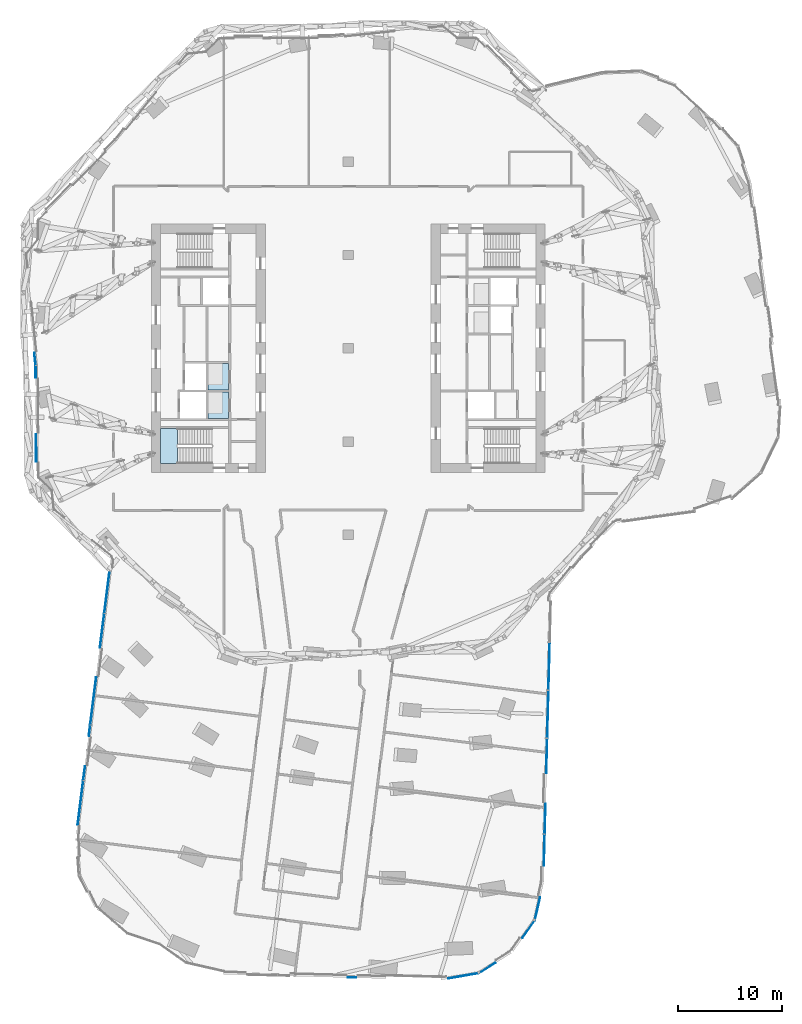
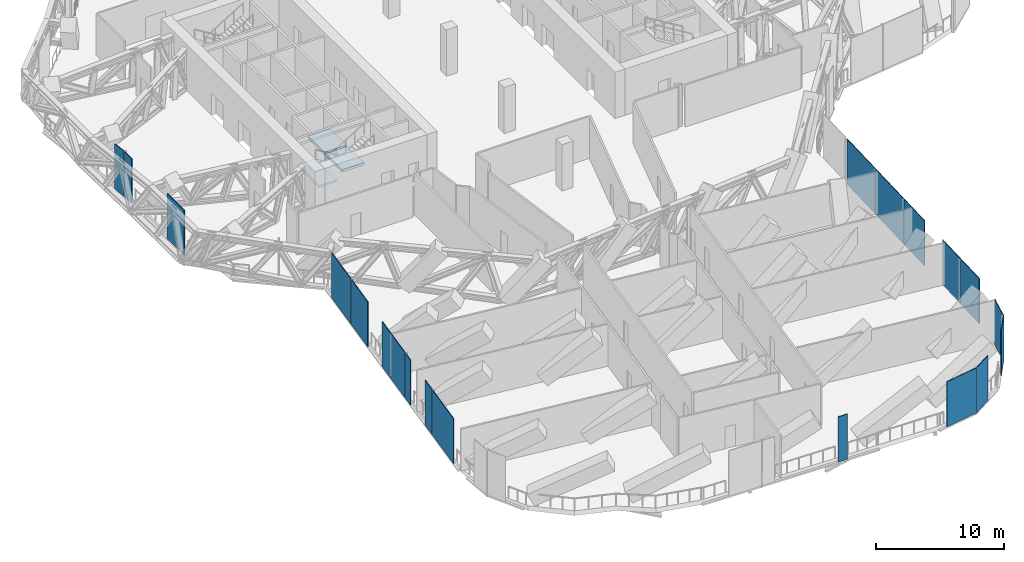
# One storey, part 15 of 27: 19 plates, 3 slabs, 10 elements without a shape of their own.
"""IFC4 building model written with IfcOpenShell, lengths in metres."""

from ifc_helpers import new_model, si_unit, direction, frame, origin, origin_2d, place, context, subcontext, project, spatial, polyline, rectangle, outline, extrude, material, layer, layer_set, type_object, element, aggregate, save


model = new_model("IFC4")

# Units and contexts
model_context = context("Model", 3, precision=1e-05, world=origin(), true_north=direction((0.0, 1.0)))
body_context = subcontext(model_context, "Body", "Model", "MODEL_VIEW")
ifc_project = project(units=[si_unit("LENGTHUNIT", "METRE"), si_unit("AREAUNIT", "SQUARE_METRE"), si_unit("VOLUMEUNIT", "CUBIC_METRE"), si_unit("PLANEANGLEUNIT", "RADIAN"), si_unit("MASSUNIT", "GRAM", prefix="KILO")], contexts=[model_context])

# Site, building, storey
site_placement = place(None, origin())
site = spatial("IfcSite", under=ifc_project, at=site_placement, CompositionType="ELEMENT")
building_placement = place(site_placement, origin())
building = spatial("IfcBuilding", under=site, at=building_placement, Name="Orlundy Tower", CompositionType="ELEMENT")
storey_placement = place(building_placement, frame((0.0, 0.0, 206.10009765625)))
storey = spatial("IfcBuildingStorey", under=building, at=storey_placement, Name="L54", CompositionType="ELEMENT", Elevation=206.10009765625)

# Curtain wall, plates
ifc_material_1 = material(Name="Aluminium bronze anodised", Category="aluminium")
curtain_wall_type = type_object("IfcCurtainWallType", Name="CW4 wall", PredefinedType="NOTDEFINED", material=ifc_material_1)
curtain_wall_1_placement = place(storey_placement, origin())
curtain_wall_1 = element("IfcCurtainWall", 1, at=curtain_wall_1_placement, inside=storey, type_object=curtain_wall_type, Name="CW4 run 03", PredefinedType="NOTDEFINED")
ifc_material_2 = material(Name="Louvre aluminium bronze anodised", Category="aluminium")
ifc_layer_1 = layer(ifc_material_2, 0.06005859375)
ifc_layer_set_1 = layer_set([ifc_layer_1], Name="CW4 louvre panel 60")
plate_type = type_object("IfcPlateType", Name="CW4 louvre panel 60", PredefinedType="CURTAIN_PANEL", material=ifc_layer_set_1)
plate_1_placement = place(storey_placement, frame((-30.114501953125, -9.61279296875, -0.30029296875), z_axis=(0.0, 0.0, 1.0), x_axis=(-0.005851060933, 0.999982882396, 0.0)))
plate_1 = element("IfcPlate", 2, at=plate_1_placement, type_object=plate_type, Name="CW4 louvre", PredefinedType="CURTAIN_PANEL", context=body_context, shape_type="SweptSolid", body=[
    extrude(rectangle(XDim=2.64453125, YDim=0.06005859375, at=origin_2d()), origin(), (0.0, 0.0, 1.0), 4.300048828125),
])
plate_2_placement = place(storey_placement, frame((-30.157470703125, -2.265869140625, -0.30029296875), z_axis=(0.0, 0.0, 1.0), x_axis=(-0.005851060933, 0.999982882396, 0.0)))
plate_2 = element("IfcPlate", 3, at=plate_2_placement, type_object=plate_type, Name="CW4 louvre", PredefinedType="CURTAIN_PANEL", context=body_context, shape_type="SweptSolid", body=[
    extrude(rectangle(XDim=1.126708984375, YDim=0.06005859375, at=origin_2d()), origin(), (0.0, 0.0, 1.0), 4.300048828125),
])
aggregate(curtain_wall_1, [plate_1, plate_2])

# Curtain wall, plate
curtain_wall_2_placement = place(storey_placement, origin())
curtain_wall_2 = element("IfcCurtainWall", 4, at=curtain_wall_2_placement, inside=storey, type_object=curtain_wall_type, Name="CW4 run 04", PredefinedType="NOTDEFINED")
plate_3_placement = place(storey_placement, frame((-30.227783203125, -1.037353515625, -0.30029296875), z_axis=(0.0, 0.0, 1.0), x_axis=(-0.104523077247, 0.994522461447, 0.0)))
plate_3 = element("IfcPlate", 5, at=plate_3_placement, type_object=plate_type, Name="CW4 louvre", PredefinedType="CURTAIN_PANEL", context=body_context, shape_type="SweptSolid", body=[
    extrude(rectangle(XDim=1.217041015625, YDim=0.06005859375, at=origin_2d()), origin(), (0.0, 0.0, 1.0), 4.300048828125),
])
aggregate(curtain_wall_2, [plate_3])

# Curtain wall, plates
curtain_wall_3_placement = place(storey_placement, origin())
curtain_wall_3 = element("IfcCurtainWall", 6, at=curtain_wall_3_placement, inside=storey, type_object=curtain_wall_type, Name="CW4 run 032", PredefinedType="NOTDEFINED")
plate_4_placement = place(storey_placement, frame((19.373291015625, -30.67919921875, -0.30029296875), z_axis=(0.0, 0.0, 1.0), x_axis=(-0.026165655813, -0.999657620616, 0.0)))
plate_4 = element("IfcPlate", 7, at=plate_4_placement, type_object=plate_type, Name="CW4 louvre", PredefinedType="CURTAIN_PANEL", context=body_context, shape_type="SweptSolid", body=[
    extrude(rectangle(XDim=4.57080078125, YDim=0.06005859375, at=origin_2d()), origin(), (0.0, 0.0, 1.0), 4.300048828125),
])
plate_5_placement = place(storey_placement, frame((19.251953125, -35.308349609375, -0.30029296875), z_axis=(0.0, 0.0, 1.0), x_axis=(-0.026165655813, -0.999657620616, 0.0)))
plate_5 = element("IfcPlate", 8, at=plate_5_placement, type_object=plate_type, Name="CW4 louvre", PredefinedType="CURTAIN_PANEL", context=body_context, shape_type="SweptSolid", body=[
    extrude(rectangle(XDim=4.57080078125, YDim=0.06005859375, at=origin_2d()), origin(), (0.0, 0.0, 1.0), 4.300048828125),
])
plate_6_placement = place(storey_placement, frame((19.14697265625, -39.320556640625, -0.30029296875), z_axis=(0.0, 0.0, 1.0), x_axis=(-0.026165655813, -0.999657620616, 0.0)))
plate_6 = element("IfcPlate", 9, at=plate_6_placement, type_object=plate_type, Name="CW4 louvre", PredefinedType="CURTAIN_PANEL", context=body_context, shape_type="SweptSolid", body=[
    extrude(rectangle(XDim=3.336669921875, YDim=0.06005859375, at=origin_2d()), origin(), (0.0, 0.0, 1.0), 4.300048828125),
])
plate_7_placement = place(storey_placement, frame((18.988037109375, -45.39404296875, -0.30029296875), z_axis=(0.0, 0.0, 1.0), x_axis=(-0.026165655813, -0.999657620616, 0.0)))
plate_7 = element("IfcPlate", 10, at=plate_7_placement, type_object=plate_type, Name="CW4 louvre", PredefinedType="CURTAIN_PANEL", context=body_context, shape_type="SweptSolid", body=[
    extrude(rectangle(XDim=2.91552734375, YDim=0.06005859375, at=origin_2d()), origin(), (0.0, 0.0, 1.0), 4.300048828125),
])
plate_8_placement = place(storey_placement, frame((18.90869140625, -48.421630859375, -0.30029296875), z_axis=(0.0, 0.0, 1.0), x_axis=(-0.026165655813, -0.999657620616, 0.0)))
plate_8 = element("IfcPlate", 11, at=plate_8_placement, type_object=plate_type, Name="CW4 louvre", PredefinedType="CURTAIN_PANEL", context=body_context, shape_type="SweptSolid", body=[
    extrude(rectangle(XDim=3.021728515625, YDim=0.06005859375, at=origin_2d()), origin(), (0.0, 0.0, 1.0), 4.300048828125),
])
aggregate(curtain_wall_3, [plate_4, plate_5, plate_6, plate_7, plate_8])

# Curtain wall, plate
curtain_wall_4_placement = place(storey_placement, origin())
curtain_wall_4 = element("IfcCurtainWall", 12, at=curtain_wall_4_placement, inside=storey, type_object=curtain_wall_type, Name="CW4 run 033", PredefinedType="NOTDEFINED")
plate_9_placement = place(storey_placement, frame((18.2509765625, -54.075439453125, -0.30029296875), z_axis=(0.0, 0.0, 1.0), x_axis=(-0.220699748267, -0.975341797072, 0.0)))
plate_9 = element("IfcPlate", 13, at=plate_9_placement, type_object=plate_type, Name="CW4 louvre", PredefinedType="CURTAIN_PANEL", context=body_context, shape_type="SweptSolid", body=[
    extrude(rectangle(XDim=2.288330078125, YDim=0.06005859375, at=origin_2d()), origin(), (0.0, 0.0, 1.0), 4.300048828125),
])
aggregate(curtain_wall_4, [plate_9])

curtain_wall_5_placement = place(storey_placement, origin())
curtain_wall_5 = element("IfcCurtainWall", 14, at=curtain_wall_5_placement, inside=storey, type_object=curtain_wall_type, Name="CW4 run 034", PredefinedType="NOTDEFINED")
plate_10_placement = place(storey_placement, frame((17.394287109375, -56.04638671875, -0.30029296875), z_axis=(0.0, 0.0, 1.0), x_axis=(-0.577096231381, -0.816676153518, 0.0)))
plate_10 = element("IfcPlate", 15, at=plate_10_placement, type_object=plate_type, Name="CW4 louvre", PredefinedType="CURTAIN_PANEL", context=body_context, shape_type="SweptSolid", body=[
    extrude(rectangle(XDim=2.093505859375, YDim=0.06005859375, at=origin_2d()), origin(), (0.0, 0.0, 1.0), 4.300048828125),
])
aggregate(curtain_wall_5, [plate_10])

curtain_wall_6_placement = place(storey_placement, origin())
curtain_wall_6 = element("IfcCurtainWall", 16, at=curtain_wall_6_placement, inside=storey, type_object=curtain_wall_type, Name="CW4 run 035", PredefinedType="NOTDEFINED")
plate_11_placement = place(storey_placement, frame((13.42138671875, -59.787353515625, -0.30029296875), z_axis=(0.0, 0.0, 1.0), x_axis=(-0.845732410351, -0.533607243282, 0.0)))
plate_11 = element("IfcPlate", 17, at=plate_11_placement, type_object=plate_type, Name="CW4 louvre", PredefinedType="CURTAIN_PANEL", context=body_context, shape_type="SweptSolid", body=[
    extrude(rectangle(XDim=1.875732421875, YDim=0.06005859375, at=origin_2d()), origin(), (0.0, 0.0, 1.0), 4.300048828125),
])
aggregate(curtain_wall_6, [plate_11])

curtain_wall_7_placement = place(storey_placement, origin())
curtain_wall_7 = element("IfcCurtainWall", 18, at=curtain_wall_7_placement, inside=storey, type_object=curtain_wall_type, Name="CW4 run 036", PredefinedType="NOTDEFINED")
plate_12_placement = place(storey_placement, frame((11.131591796875, -60.545166015625, -0.30029296875), z_axis=(0.0, 0.0, 1.0), x_axis=(-0.985542556373, -0.169428066085, 0.0)))
plate_12 = element("IfcPlate", 19, at=plate_12_placement, type_object=plate_type, Name="CW4 louvre", PredefinedType="CURTAIN_PANEL", context=body_context, shape_type="SweptSolid", body=[
    extrude(rectangle(XDim=3.036865234375, YDim=0.06005859375, at=origin_2d()), origin(), (0.0, 0.0, 1.0), 4.300048828125),
])
aggregate(curtain_wall_7, [plate_12])

curtain_wall_8_placement = place(storey_placement, origin())
curtain_wall_8 = element("IfcCurtainWall", 20, at=curtain_wall_8_placement, inside=storey, type_object=curtain_wall_type, Name="CW4 run 037", PredefinedType="NOTDEFINED")
plate_13_placement = place(storey_placement, frame((0.354736328125, -60.699951171875, -0.30029296875), z_axis=(0.0, 0.0, 1.0), x_axis=(-0.999656977295, 0.026190222342, 0.0)))
plate_13 = element("IfcPlate", 21, at=plate_13_placement, type_object=plate_type, Name="CW4 louvre", PredefinedType="CURTAIN_PANEL", context=body_context, shape_type="SweptSolid", body=[
    extrude(rectangle(XDim=0.83056640625, YDim=0.06005859375, at=origin_2d()), origin(), (0.0, 0.0, 1.0), 4.300048828125),
])
aggregate(curtain_wall_8, [plate_13])

# Curtain wall, plates
curtain_wall_9_placement = place(storey_placement, origin())
curtain_wall_9 = element("IfcCurtainWall", 22, at=curtain_wall_9_placement, inside=storey, type_object=curtain_wall_type, Name="CW4 run 044", PredefinedType="NOTDEFINED")
plate_14_placement = place(storey_placement, frame((-25.842529296875, -43.84814453125, -0.30029296875), z_axis=(0.0, 0.0, 1.0), x_axis=(0.124770279283, 0.992185656723, 0.0)))
plate_14 = element("IfcPlate", 23, at=plate_14_placement, type_object=plate_type, Name="CW4 louvre", PredefinedType="CURTAIN_PANEL", context=body_context, shape_type="SweptSolid", body=[
    extrude(rectangle(XDim=4.24169921875, YDim=0.06005859375, at=origin_2d()), origin(), (0.0, 0.0, 1.0), 4.300048828125),
])
plate_15_placement = place(storey_placement, frame((-25.484619140625, -41.00048828125, -0.30029296875), z_axis=(0.0, 0.0, 1.0), x_axis=(0.124770279283, 0.992185656723, 0.0)))
plate_15 = element("IfcPlate", 24, at=plate_15_placement, type_object=plate_type, Name="CW4 louvre", PredefinedType="CURTAIN_PANEL", context=body_context, shape_type="SweptSolid", body=[
    extrude(rectangle(XDim=1.3779296875, YDim=0.06005859375, at=origin_2d()), origin(), (0.0, 0.0, 1.0), 4.300048828125),
])
plate_16_placement = place(storey_placement, frame((-24.96728515625, -36.886474609375, -0.30029296875), z_axis=(0.0, 0.0, 1.0), x_axis=(0.124770279283, 0.992185656723, 0.0)))
plate_16 = element("IfcPlate", 25, at=plate_16_placement, type_object=plate_type, Name="CW4 louvre", PredefinedType="CURTAIN_PANEL", context=body_context, shape_type="SweptSolid", body=[
    extrude(rectangle(XDim=1.051025390625, YDim=0.06005859375, at=origin_2d()), origin(), (0.0, 0.0, 1.0), 4.300048828125),
])
plate_17_placement = place(storey_placement, frame((-24.60595703125, -34.012939453125, -0.30029296875), z_axis=(0.0, 0.0, 1.0), x_axis=(0.124770279283, 0.992185656723, 0.0)))
plate_17 = element("IfcPlate", 26, at=plate_17_placement, type_object=plate_type, Name="CW4 louvre", PredefinedType="CURTAIN_PANEL", context=body_context, shape_type="SweptSolid", body=[
    extrude(rectangle(XDim=4.62109375, YDim=0.06005859375, at=origin_2d()), origin(), (0.0, 0.0, 1.0), 4.300048828125),
])
plate_18_placement = place(storey_placement, frame((-23.754150390625, -27.2412109375, -0.30029296875), z_axis=(0.0, 0.0, 1.0), x_axis=(0.124770279283, 0.992185656723, 0.0)))
plate_18 = element("IfcPlate", 27, at=plate_18_placement, type_object=plate_type, Name="CW4 louvre", PredefinedType="CURTAIN_PANEL", context=body_context, shape_type="SweptSolid", body=[
    extrude(rectangle(XDim=3.29345703125, YDim=0.06005859375, at=origin_2d()), origin(), (0.0, 0.0, 1.0), 4.300048828125),
])
plate_19_placement = place(storey_placement, frame((-23.2958984375, -23.596435546875, -0.30029296875), z_axis=(0.0, 0.0, 1.0), x_axis=(0.124770279283, 0.992185656723, 0.0)))
plate_19 = element("IfcPlate", 28, at=plate_19_placement, type_object=plate_type, Name="CW4 louvre", PredefinedType="CURTAIN_PANEL", context=body_context, shape_type="SweptSolid", body=[
    extrude(rectangle(XDim=3.933349609375, YDim=0.06005859375, at=origin_2d()), origin(), (0.0, 0.0, 1.0), 4.300048828125),
])
aggregate(curtain_wall_9, [plate_14, plate_15, plate_16, plate_17, plate_18, plate_19])

# Stair, slab
ifc_material_3 = material(Name="Concrete C50/60", Category="concrete")
stair_type = type_object("IfcStairType", Name="Exit Stair 26 risers", PredefinedType="HALF_TURN_STAIR", material=ifc_material_3)
stair_placement = place(storey_placement, origin())
stair = element("IfcStair", 29, at=stair_placement, inside=storey, type_object=stair_type, Name="L54 Exit Stair ST-W2", PredefinedType="HALF_TURN_STAIR")
ifc_material_4 = material(Name="Concrete C50/60", Category="concrete")
ifc_layer_2 = layer(ifc_material_4, 0.199951171875)
ifc_layer_set_2 = layer_set([ifc_layer_2], Name="Exit Stair Landing")
slab_type_1 = type_object("IfcSlabType", Name="Exit Stair Landing", PredefinedType="LANDING", material=ifc_layer_set_2)
slab_1_placement = place(storey_placement, frame((0.0, 0.0, 2.0)))
slab_1 = element("IfcSlab", 30, at=slab_1_placement, type_object=slab_type_1, Name="ST-W2 landing 1", PredefinedType="LANDING", context=body_context, shape_type="SweptSolid", body=[
    extrude(outline(polyline([(-16.5, -7.75), (-18.10009765625, -7.75), (-18.10009765625, -11.10009765625), (-16.5, -11.10009765625), (-16.5, -7.75)])), origin(), (0.0, 0.0, 1.0), 0.199951171875),
])
aggregate(stair, [slab_1])

# Slabs
ifc_material_5 = material(Name="Concrete C50/60", Category="concrete")
ifc_layer_3 = layer(ifc_material_5, 0.25)
ifc_layer_set_3 = layer_set([ifc_layer_3], Name="Lift Pit Slab")
slab_type_2 = type_object("IfcSlabType", Name="Lift Pit Slab", PredefinedType="BASESLAB", material=ifc_layer_set_3)
slab_2_placement = place(storey_placement, frame((0.0, 0.0, -0.75)))
element("IfcSlab", 31, at=slab_2_placement, inside=storey, type_object=slab_type_2, Name="Lift pit floor LP-22", PredefinedType="BASESLAB", context=body_context, shape_type="SweptSolid", body=[
    extrude(outline(polyline([(-11.5400390625, -6.77490234375), (-13.5400390625, -6.77490234375), (-13.5400390625, -4.22509765625), (-11.5400390625, -4.22509765625), (-11.5400390625, -6.77490234375)])), origin(), (0.0, 0.0, 1.0), 0.25),
])
slab_3_placement = place(storey_placement, frame((0.0, 0.0, -0.75)))
element("IfcSlab", 32, at=slab_3_placement, inside=storey, type_object=slab_type_2, Name="Lift pit floor LP-21", PredefinedType="BASESLAB", context=body_context, shape_type="SweptSolid", body=[
    extrude(outline(polyline([(-11.5400390625, -4.02490234375), (-13.5400390625, -4.02490234375), (-13.5400390625, -1.47509765625), (-11.5400390625, -1.47509765625), (-11.5400390625, -4.02490234375)])), origin(), (0.0, 0.0, 1.0), 0.25),
])

save(model, "model.ifc")
